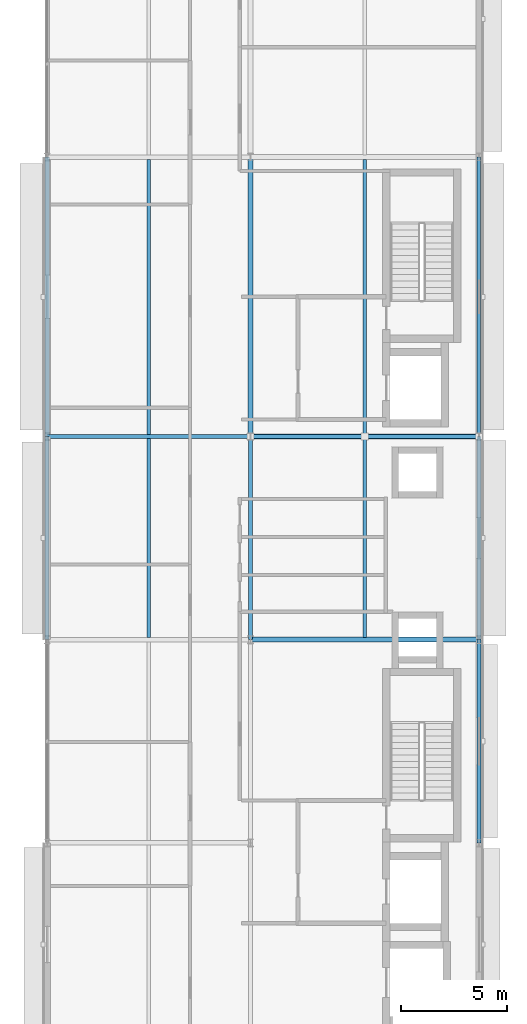
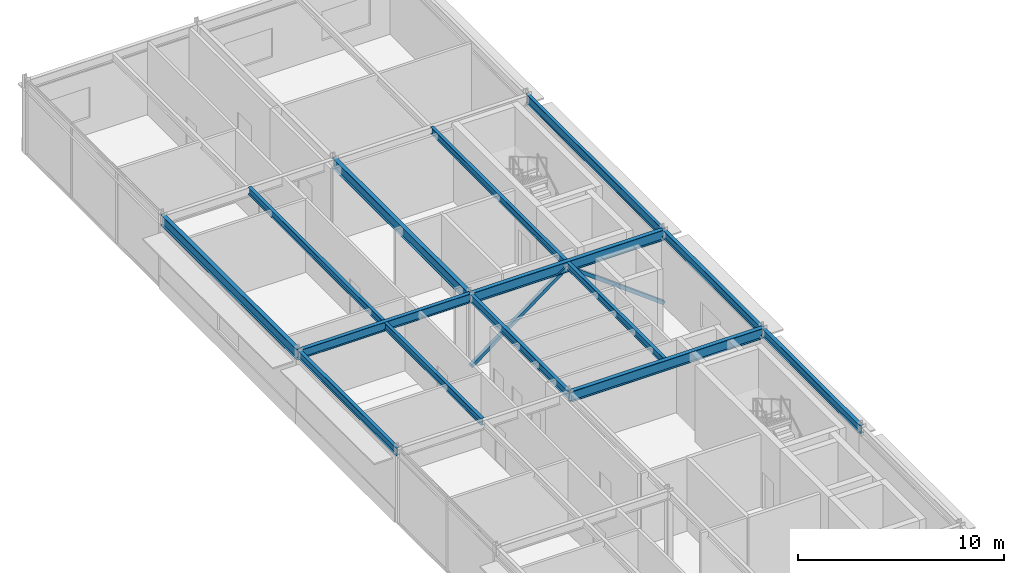
# One storey, part 5 of 17: 14 beams, 2 members.
"""IFC4 building model written with IfcOpenShell, lengths in metres."""

from ifc_helpers import new_model, si_unit, direction, frame, origin, origin_2d, place, context, subcontext, project, spatial, hollow_rectangle, i_section, extrude, material, material_profile, profile_set, type_object, element, save


model = new_model("IFC4")

# Units and contexts
model_context = context("Model", 3, precision=1e-05, world=origin(), true_north=direction((0.0, 1.0)))
body_context = subcontext(model_context, "Body", "Model", "MODEL_VIEW")
ifc_project = project(units=[si_unit("LENGTHUNIT", "METRE"), si_unit("AREAUNIT", "SQUARE_METRE"), si_unit("VOLUMEUNIT", "CUBIC_METRE"), si_unit("PLANEANGLEUNIT", "RADIAN"), si_unit("MASSUNIT", "GRAM", prefix="KILO")], contexts=[model_context])

# Site, building, storey
site_placement = place(None, origin())
site = spatial("IfcSite", under=ifc_project, at=site_placement, CompositionType="ELEMENT")
building_placement = place(site_placement, origin())
building = spatial("IfcBuilding", under=site, at=building_placement, Name="Almandine Court Research Institute", CompositionType="ELEMENT")
storey_placement = place(building_placement, frame((0.0, 0.0, 32.550048828125)))
storey = spatial("IfcBuildingStorey", under=building, at=storey_placement, Name="L07", CompositionType="ELEMENT", Elevation=32.550048828125)

# Beams
ifc_material_1 = material(Name="Steel ASTM A992 Grade 50", Category="steel")
ifc_material_profile_1 = material_profile(ifc_material_1, i_section(OverallWidth=0.18994140625, OverallDepth=0.45703125, WebThickness=0.009033203125, FlangeThickness=0.014892578125, at=origin_2d()), Name="W460x74")
ifc_profile_set_1 = profile_set([ifc_material_profile_1], Name="Steel ASTM A992 Grade 50")
beam_type_1 = type_object("IfcBeamType", Name="Beam-B-01", PredefinedType="BEAM", material=ifc_profile_set_1)
for number, where, z_axis, x_axis, name in (
    (1, (153.60009765625, 34.800048828125, 4.156982421875), (0.0, 1.0, 0.0), (-1.0, 0.0, 0.0), "L07 V4 Primary Y Girder"),
    (2, (163.199951171875, 34.800048828125, 4.156982421875), (0.0, 1.0, 0.0), (-1.0, 0.0, 0.0), "L07 V4 Primary Y Girder"),
):
    element("IfcBeam", number, at=place(storey_placement, frame(where, z_axis=z_axis, x_axis=x_axis)), inside=storey, type_object=beam_type_1, Name=name, PredefinedType="BEAM", context=body_context, shape_type="SweptSolid", body=[
        extrude(i_section(OverallWidth=0.18994140625, OverallDepth=0.45703125, WebThickness=0.009033203125, FlangeThickness=0.014892578125, at=origin_2d()), origin(), (0.0, 0.0, 1.0), 9.599853515625),
    ])
ifc_material_profile_2 = material_profile(ifc_material_1, i_section(OverallWidth=0.178955078125, OverallDepth=0.409912109375, WebThickness=0.009033203125, FlangeThickness=0.013916015625, at=origin_2d()), Name="W410x67")
ifc_profile_set_2 = profile_set([ifc_material_profile_2], Name="Steel ASTM A992 Grade 50")
beam_type_2 = type_object("IfcBeamType", Name="Beam-B-02", PredefinedType="JOIST", material=ifc_profile_set_2)
beam_1_placement = place(storey_placement, frame((158.39990234375, 34.903076171875, 4.179931640625), z_axis=(0.0, 1.0, 0.0), x_axis=(-1.0, 0.0, 0.0)))
element("IfcBeam", 3, at=beam_1_placement, inside=storey, type_object=beam_type_2, Name="L07 V4 Composite Secondary Beam", PredefinedType="JOIST", context=body_context, shape_type="SweptSolid", body=[
    extrude(i_section(OverallWidth=0.178955078125, OverallDepth=0.409912109375, WebThickness=0.009033203125, FlangeThickness=0.013916015625, at=origin_2d()), origin(), (0.0, 0.0, 1.0), 9.39404296875),
])
beam_2_placement = place(storey_placement, frame((168.60009765625, 34.9130859375, 4.179931640625), z_axis=(0.0, 1.0, 0.0), x_axis=(-1.0, 0.0, 0.0)))
element("IfcBeam", 4, at=beam_2_placement, inside=storey, type_object=beam_type_2, Name="L07 V4 Composite Secondary Beam", PredefinedType="JOIST", context=body_context, shape_type="SweptSolid", body=[
    extrude(i_section(OverallWidth=0.178955078125, OverallDepth=0.409912109375, WebThickness=0.009033203125, FlangeThickness=0.013916015625, at=origin_2d()), origin(), (0.0, 0.0, 1.0), 9.3740234375),
])
beam_3_placement = place(storey_placement, frame((158.39990234375, 44.5029296875, 4.179931640625), z_axis=(0.0, 1.0, 0.0), x_axis=(-1.0, 0.0, 0.0)))
element("IfcBeam", 5, at=beam_3_placement, inside=storey, type_object=beam_type_2, Name="L07 V4 Composite Secondary Beam", PredefinedType="JOIST", context=body_context, shape_type="SweptSolid", body=[
    extrude(i_section(OverallWidth=0.178955078125, OverallDepth=0.409912109375, WebThickness=0.009033203125, FlangeThickness=0.013916015625, at=origin_2d()), origin(), (0.0, 0.0, 1.0), 12.994140625),
])
beam_4_placement = place(storey_placement, frame((168.60009765625, 44.512939453125, 4.179931640625), z_axis=(0.0, 1.0, 0.0), x_axis=(-1.0, 0.0, 0.0)))
element("IfcBeam", 6, at=beam_4_placement, inside=storey, type_object=beam_type_2, Name="L07 V4 Composite Secondary Beam", PredefinedType="JOIST", context=body_context, shape_type="SweptSolid", body=[
    extrude(i_section(OverallWidth=0.178955078125, OverallDepth=0.409912109375, WebThickness=0.009033203125, FlangeThickness=0.013916015625, at=origin_2d()), origin(), (0.0, 0.0, 1.0), 12.97412109375),
])
ifc_material_profile_3 = material_profile(ifc_material_1, i_section(OverallWidth=0.22998046875, OverallDepth=0.616943359375, WebThickness=0.012939453125, FlangeThickness=0.02197265625, at=origin_2d()), Name="W610x140")
ifc_profile_set_3 = profile_set([ifc_material_profile_3], Name="Steel ASTM A992 Grade 50")
beam_type_3 = type_object("IfcBeamType", Name="Beam-G-02", PredefinedType="BEAM", material=ifc_profile_set_3)
for number, where, z_axis, x_axis, name in (
    (7, (163.199951171875, 34.800048828125, 4.076904296875), (1.0, 0.0, 0.0), (0.0, 1.0, 0.0), "L07 V4 Primary X Girder"),
    (8, (163.199951171875, 44.39990234375, 4.076904296875), (1.0, 0.0, 0.0), (0.0, 1.0, 0.0), "L07 V4 Primary X Girder"),
):
    element("IfcBeam", number, at=place(storey_placement, frame(where, z_axis=z_axis, x_axis=x_axis)), inside=storey, type_object=beam_type_3, Name=name, PredefinedType="BEAM", context=body_context, shape_type="SweptSolid", body=[
        extrude(i_section(OverallWidth=0.22998046875, OverallDepth=0.616943359375, WebThickness=0.012939453125, FlangeThickness=0.02197265625, at=origin_2d()), origin(), (0.0, 0.0, 1.0), 10.800048828125),
    ])
ifc_material_profile_4 = material_profile(ifc_material_1, i_section(OverallWidth=0.22802734375, OverallDepth=0.60791015625, WebThickness=0.010986328125, FlangeThickness=0.01708984375, at=origin_2d()), Name="W610x113")
ifc_profile_set_4 = profile_set([ifc_material_profile_4], Name="Steel ASTM A992 Grade 50")
beam_type_4 = type_object("IfcBeamType", Name="Beam-G-03", PredefinedType="BEAM", material=ifc_profile_set_4)
for number, where, z_axis, x_axis, name in (
    (9, (153.60009765625, 44.39990234375, 4.0810546875), (0.0, 1.0, 0.0), (-1.0, 0.0, 0.0), "L07 V4 Primary Y Girder"),
    (10, (163.199951171875, 44.39990234375, 4.0810546875), (0.0, 1.0, 0.0), (-1.0, 0.0, 0.0), "L07 V4 Primary Y Girder"),
):
    element("IfcBeam", number, at=place(storey_placement, frame(where, z_axis=z_axis, x_axis=x_axis)), inside=storey, type_object=beam_type_4, Name=name, PredefinedType="BEAM", context=body_context, shape_type="SweptSolid", body=[
        extrude(i_section(OverallWidth=0.22802734375, OverallDepth=0.60791015625, WebThickness=0.010986328125, FlangeThickness=0.01708984375, at=origin_2d()), origin(), (0.0, 0.0, 1.0), 13.2001953125),
    ])
ifc_material_profile_5 = material_profile(ifc_material_1, i_section(OverallWidth=0.2109375, OverallDepth=0.5390625, WebThickness=0.011962890625, FlangeThickness=0.01904296875, at=origin_2d()), Name="W530x109")
ifc_profile_set_5 = profile_set([ifc_material_profile_5], Name="Steel ASTM A992 Grade 50")
beam_type_5 = type_object("IfcBeamType", Name="Beam-G-04", PredefinedType="BEAM", material=ifc_profile_set_5)
beam_5_placement = place(storey_placement, frame((153.60009765625, 44.39990234375, 4.115966796875), z_axis=(1.0, 0.0, 0.0), x_axis=(0.0, 1.0, 0.0)))
element("IfcBeam", 11, at=beam_5_placement, inside=storey, type_object=beam_type_5, Name="L07 V4 Primary X Girder", PredefinedType="BEAM", context=body_context, shape_type="SweptSolid", body=[
    extrude(i_section(OverallWidth=0.2109375, OverallDepth=0.5390625, WebThickness=0.011962890625, FlangeThickness=0.01904296875, at=origin_2d()), origin(), (0.0, 0.0, 1.0), 9.599853515625),
])
ifc_material_profile_6 = material_profile(ifc_material_1, i_section(OverallWidth=0.166015625, OverallDepth=0.534912109375, WebThickness=0.010009765625, FlangeThickness=0.01708984375, at=origin_2d()), Name="W530x85")
ifc_profile_set_6 = profile_set([ifc_material_profile_6], Name="Steel ASTM A992 Grade 50")
beam_type_6 = type_object("IfcBeamType", Name="Beam-G-05-E", PredefinedType="SPANDREL", material=ifc_profile_set_6)
beam_6_placement = place(storey_placement, frame((174.0, 44.39990234375, 4.117919921875), z_axis=(0.0, 1.0, 0.0), x_axis=(-1.0, 0.0, 0.0)))
element("IfcBeam", 12, at=beam_6_placement, inside=storey, type_object=beam_type_6, Name="L07 V4 Primary Y Girder", PredefinedType="SPANDREL", context=body_context, shape_type="SweptSolid", body=[
    extrude(i_section(OverallWidth=0.166015625, OverallDepth=0.534912109375, WebThickness=0.010009765625, FlangeThickness=0.01708984375, at=origin_2d()), origin(), (0.0, 0.0, 1.0), 13.2001953125),
])
ifc_material_profile_7 = material_profile(ifc_material_1, i_section(OverallWidth=0.193115234375, OverallDepth=0.466064453125, WebThickness=0.010986328125, FlangeThickness=0.01904296875, at=origin_2d()), Name="W460x97")
ifc_profile_set_7 = profile_set([ifc_material_profile_7], Name="Steel ASTM A992 Grade 50")
beam_type_7 = type_object("IfcBeamType", Name="Beam-G-06-E", PredefinedType="SPANDREL", material=ifc_profile_set_7)
beam_7_placement = place(storey_placement, frame((174.0, 25.199951171875, 4.15185546875), z_axis=(0.0, 1.0, 0.0), x_axis=(-1.0, 0.0, 0.0)))
element("IfcBeam", 13, at=beam_7_placement, inside=storey, type_object=beam_type_7, Name="L07 V4 Primary Y Girder", PredefinedType="SPANDREL", context=body_context, shape_type="SweptSolid", body=[
    extrude(i_section(OverallWidth=0.193115234375, OverallDepth=0.466064453125, WebThickness=0.010986328125, FlangeThickness=0.01904296875, at=origin_2d()), origin(), (0.0, 0.0, 1.0), 9.60009765625),
])
beam_8_placement = place(storey_placement, frame((174.0, 34.800048828125, 4.15185546875), z_axis=(0.0, 1.0, 0.0), x_axis=(-1.0, 0.0, 0.0)))
element("IfcBeam", 14, at=beam_8_placement, inside=storey, type_object=beam_type_7, Name="L07 V4 Primary Y Girder", PredefinedType="SPANDREL", context=body_context, shape_type="SweptSolid", body=[
    extrude(i_section(OverallWidth=0.193115234375, OverallDepth=0.466064453125, WebThickness=0.010986328125, FlangeThickness=0.01904296875, at=origin_2d()), origin(), (0.0, 0.0, 1.0), 9.599853515625),
])

# Members
ifc_material_2 = material(Name="Steel ASTM A500 Grade C", Category="steel")
ifc_material_profile_8 = material_profile(ifc_material_2, hollow_rectangle(XDim=0.199951171875, YDim=0.199951171875, WallThickness=0.008056640625, at=origin_2d()), Name="HSS 200x200x8")
ifc_profile_set_8 = profile_set([ifc_material_profile_8], Name="Steel ASTM A500 Grade C")
member_type = type_object("IfcMemberType", Name="Mem-BF-BR2", PredefinedType="BRACE", material=ifc_profile_set_8)
for number, where, z_axis, x_axis, name in (
    (15, (163.199951171875, 44.39990234375, 0.02001953125), (0.801428188232, 0.0, 0.598091012394), (0.0, 1.0, 0.0), "L07 Seismic Chevron Brace V4-BF2 Left"),
    (16, (174.0, 44.39990234375, 0.02001953125), (-0.801415226812, 0.0, 0.598108380007), (0.0, -1.0, 0.0), "L07 Seismic Chevron Brace V4-BF2 Right"),
):
    element("IfcMember", number, at=place(storey_placement, frame(where, z_axis=z_axis, x_axis=x_axis)), inside=storey, type_object=member_type, Name=name, PredefinedType="BRACE", context=body_context, shape_type="SweptSolid", body=[
        extrude(hollow_rectangle(XDim=0.199951171875, YDim=0.199951171875, WallThickness=0.008056640625, at=origin_2d()), origin(), (0.0, 0.0, 1.0), 6.738037109375),
    ])

save(model, "model.ifc")
